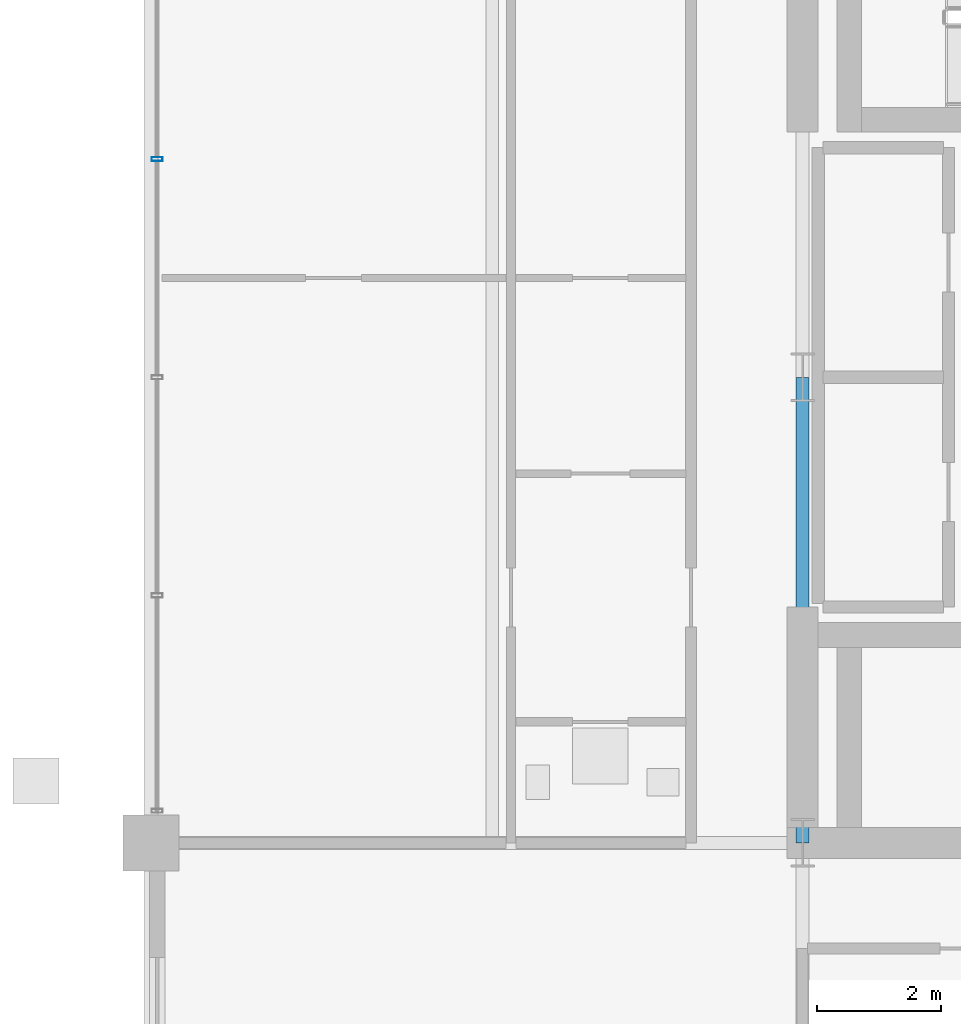
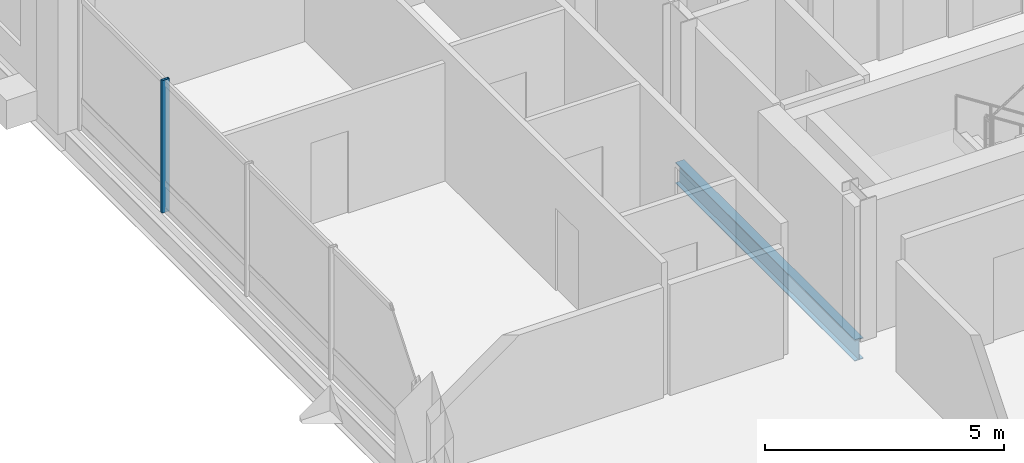
# One storey, part 7 of 21: 1 beam, 1 member, 1 element without a shape of its own.
"""IFC4 building model written with IfcOpenShell, lengths in metres."""

from ifc_helpers import new_model, si_unit, direction, frame, origin, origin_2d, place, context, subcontext, project, spatial, hollow_rectangle, i_section, extrude, material, layer, layer_set, material_profile, profile_set, type_object, element, aggregate, save


model = new_model("IFC4")

# Units and contexts
model_context = context("Model", 3, precision=1e-05, world=origin(), true_north=direction((0.0, 1.0)))
body_context = subcontext(model_context, "Body", "Model", "MODEL_VIEW")
ifc_project = project(units=[si_unit("LENGTHUNIT", "METRE"), si_unit("AREAUNIT", "SQUARE_METRE"), si_unit("VOLUMEUNIT", "CUBIC_METRE"), si_unit("PLANEANGLEUNIT", "RADIAN"), si_unit("MASSUNIT", "GRAM", prefix="KILO")], contexts=[model_context])

# Site, building, storey
site_placement = place(None, origin())
site = spatial("IfcSite", under=ifc_project, at=site_placement, CompositionType="ELEMENT")
building_placement = place(site_placement, origin())
building = spatial("IfcBuilding", under=site, at=building_placement, Name="Barlavira Tower and Art Museum", CompositionType="ELEMENT")
storey_placement = place(building_placement, frame((0.0, 0.0, 287.10009765625)))
storey = spatial("IfcBuildingStorey", under=building, at=storey_placement, Name="L75", CompositionType="ELEMENT", Elevation=287.10009765625)

# Curtain wall, member
ifc_material_1 = material(Name="Low-iron coastal laminated glass", Category="glass")
ifc_layer = layer(ifc_material_1, 0.2099609375, Name="Low-iron coastal laminated glass")
ifc_layer_set = layer_set([ifc_layer], Name="Low-iron coastal laminated glass")
curtain_wall_type = type_object("IfcCurtainWallType", Name="Pale-Metal Unitised Curtain Wall Zone 4", PredefinedType="NOTDEFINED", material=ifc_layer_set)
curtain_wall_placement = place(storey_placement, origin())
curtain_wall = element("IfcCurtainWall", 1, at=curtain_wall_placement, inside=storey, type_object=curtain_wall_type, Name="L75 Curtain Wall CW4-L75-W-B3", PredefinedType="NOTDEFINED")
ifc_material_2 = material(Name="Pale anodised aluminium", Category="aluminium")
ifc_material_profile_1 = material_profile(ifc_material_2, hollow_rectangle(XDim=0.06494140625, YDim=0.179931640625, WallThickness=0.00390625, at=origin_2d()), Name="ALU-MULL 65x180x4")
ifc_profile_set_1 = profile_set([ifc_material_profile_1], Name="Pale anodised aluminium")
member_type = type_object("IfcMemberType", Name="Curtain Wall Pale-Metal Mullion 65x180", PredefinedType="MULLION", material=ifc_profile_set_1)
member_placement = place(storey_placement, frame((-16.89990234375, 3.514892578125, 0.0), z_axis=(0.0, 0.0, 1.0), x_axis=(0.0, -1.0, 0.0)))
member = element("IfcMember", 2, at=member_placement, type_object=member_type, Name="CW4-L75-W-B3 Mullion 1", PredefinedType="MULLION", context=body_context, shape_type="SweptSolid", body=[
    extrude(hollow_rectangle(XDim=0.06494140625, YDim=0.179931640625, WallThickness=0.00390625, at=origin_2d()), origin(), (0.0, 0.0, 1.0), 3.3798828125),
])
aggregate(curtain_wall, [member])

# Beam
ifc_material_3 = material(Name="Steel S355", Category="steel")
ifc_material_profile_2 = material_profile(ifc_material_3, i_section(OverallWidth=0.2109375, OverallDepth=0.5390625, WebThickness=0.01171875, FlangeThickness=0.018798828125, at=origin_2d()), Name="W530x109.0")
ifc_profile_set_2 = profile_set([ifc_material_profile_2], Name="Steel S355")
beam_type = type_object("IfcBeamType", Name="Zone 3-4 Primary Floor Girder W530x109 Steel S355", PredefinedType="BEAM", material=ifc_profile_set_2)
beam_placement = place(storey_placement, frame((-6.5, -7.5, -0.489501953125), z_axis=(0.0, 1.0, 0.0), x_axis=(-1.0, 0.0, 0.0)))
element("IfcBeam", 3, at=beam_placement, inside=storey, type_object=beam_type, Name="L75 Girder C-W1", PredefinedType="BEAM", context=body_context, shape_type="SweptSolid", body=[
    extrude(i_section(OverallWidth=0.2109375, OverallDepth=0.5390625, WebThickness=0.01171875, FlangeThickness=0.018798828125, at=origin_2d()), origin(), (0.0, 0.0, 1.0), 7.5),
])

save(model, "model.ifc")
